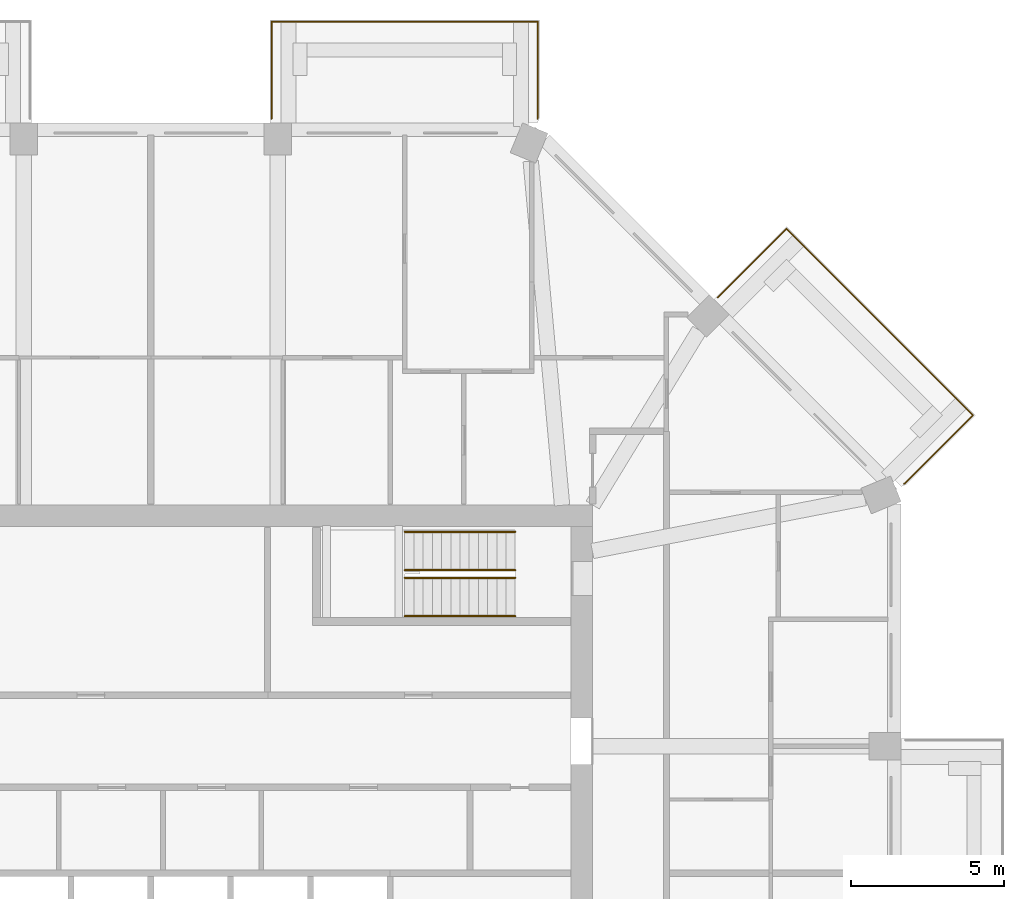
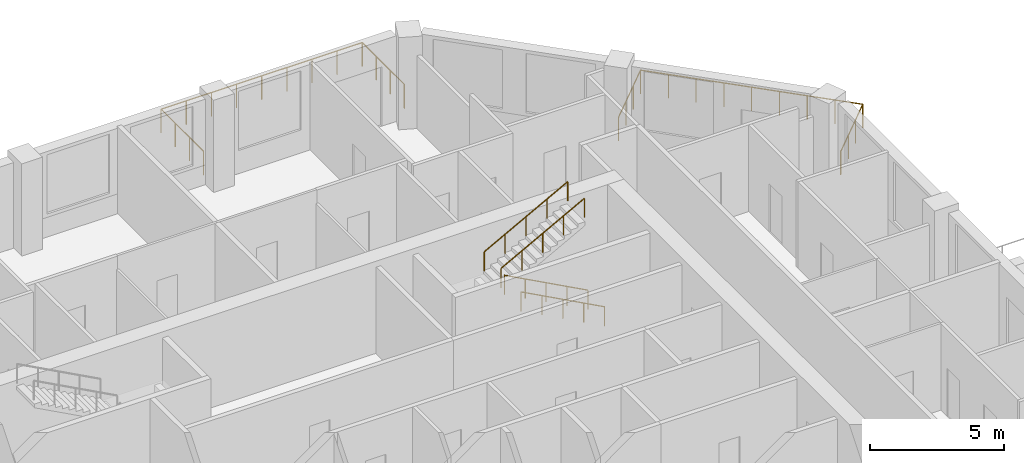
# One storey, part 12 of 12: 6 railings.
"""IFC4 building model written with IfcOpenShell, lengths in metres."""

from ifc_helpers import new_model, si_unit, direction, frame, origin, origin_2d, place, context, subcontext, project, spatial, circle, extrude, material, constituent, constituent_set, type_object, element, save


model = new_model("IFC4")

# Units and contexts
model_context = context("Model", 3, precision=1e-05, world=origin(), true_north=direction((0.0, 1.0)))
body_context = subcontext(model_context, "Body", "Model", "MODEL_VIEW")
ifc_project = project(units=[si_unit("LENGTHUNIT", "METRE"), si_unit("AREAUNIT", "SQUARE_METRE"), si_unit("VOLUMEUNIT", "CUBIC_METRE"), si_unit("PLANEANGLEUNIT", "RADIAN"), si_unit("MASSUNIT", "GRAM", prefix="KILO")], contexts=[model_context])

# Site, building, storey
site_placement = place(None, origin())
site = spatial("IfcSite", under=ifc_project, at=site_placement, CompositionType="ELEMENT")
building_placement = place(site_placement, origin())
building = spatial("IfcBuilding", under=site, at=building_placement, Name="Msitu Wima Residences", CompositionType="ELEMENT")
storey_placement = place(building_placement, frame((0.0, 0.0, 183.300048828125)))
storey = spatial("IfcBuildingStorey", under=building, at=storey_placement, Name="L42", CompositionType="ELEMENT", Elevation=183.300048828125)

# Railings
ifc_material_1 = material(Name="Steel S355", Category="steel")
ifc_constituent_1 = constituent(ifc_material_1, Name="Steel S355")
ifc_material_2 = material(Name="Weathering patina")
ifc_constituent_2 = constituent(ifc_material_2, Name="Weathering patina")
ifc_constituent_set_1 = constituent_set(constituents=[ifc_constituent_1, ifc_constituent_2], Name="Steel S355")
railing_type_1 = type_object("IfcRailingType", Name="Balcony guard GR1100", PredefinedType="GUARDRAIL", material=ifc_constituent_set_1)
railing_1_placement = place(storey_placement, frame((18.474609375, 18.75732421875, 0.0)))
element("IfcRailing", 1, at=railing_1_placement, inside=storey, type_object=railing_type_1, Name="Balcony guard NE0 L42", PredefinedType="GUARDRAIL", context=body_context, shape_type="SweptSolid", body=[
    extrude(circle(Radius=0.02392578125, at=origin_2d()), frame((0.0, 0.0, 1.076171875), z_axis=(0.707068272989, 0.707145287287, 0.0), x_axis=(-0.707145287287, 0.707068272989, 0.0)), (0.0, 0.0, 1.0), 3.170166015625),
    extrude(circle(Radius=0.02392578125, at=origin_2d()), frame((2.241455078125, 2.24169921875, 1.076171875), z_axis=(0.707106781187, -0.707106781187, 0.0), x_axis=(0.707106781187, 0.707106781187, 0.0)), (0.0, 0.0, 1.0), 8.593994140625),
    extrude(circle(Radius=0.02392578125, at=origin_2d()), frame((8.318359375, -3.835205078125, 1.076171875), z_axis=(-0.707067861805, -0.707145698426, 0.0), x_axis=(0.707145698426, -0.707067861805, 0.0)), (0.0, 0.0, 1.0), 3.136474609375),
    extrude(circle(Radius=0.02392578125, at=origin_2d()), frame((6.1005859375, -6.05322265625, 1.076171875), z_axis=(-0.923276184907, -0.384136806859, 0.0), x_axis=(0.384136806859, -0.923276184907, 0.0)), (0.0, 0.0, 1.0), 0.0361328125),
    extrude(circle(Radius=0.02099609375, at=origin_2d()), origin(), (0.0, 0.0, 1.0), 1.052001953125),
    extrude(circle(Radius=0.02099609375, at=origin_2d()), frame((0.7470703125, 0.747314453125, 0.0)), (0.0, 0.0, 1.0), 1.052001953125),
    extrude(circle(Radius=0.02099609375, at=origin_2d()), frame((1.494384765625, 1.494384765625, 0.0)), (0.0, 0.0, 1.0), 1.052001953125),
    extrude(circle(Radius=0.02099609375, at=origin_2d()), frame((2.241455078125, 2.24169921875, 0.0)), (0.0, 0.0, 1.0), 1.052001953125),
    extrude(circle(Radius=0.02099609375, at=origin_2d()), frame((3.0009765625, 1.482177734375, 0.0)), (0.0, 0.0, 1.0), 1.052001953125),
    extrude(circle(Radius=0.02099609375, at=origin_2d()), frame((3.7607421875, 0.722412109375, 0.0)), (0.0, 0.0, 1.0), 1.052001953125),
    extrude(circle(Radius=0.02099609375, at=origin_2d()), frame((4.520263671875, -0.037109375, 0.0)), (0.0, 0.0, 1.0), 1.052001953125),
    extrude(circle(Radius=0.02099609375, at=origin_2d()), frame((5.27978515625, -0.796875, 0.0)), (0.0, 0.0, 1.0), 1.052001953125),
    extrude(circle(Radius=0.02099609375, at=origin_2d()), frame((6.03955078125, -1.556396484375, 0.0)), (0.0, 0.0, 1.0), 1.052001953125),
    extrude(circle(Radius=0.02099609375, at=origin_2d()), frame((6.799072265625, -2.31591796875, 0.0)), (0.0, 0.0, 1.0), 1.052001953125),
    extrude(circle(Radius=0.02099609375, at=origin_2d()), frame((7.558837890625, -3.07568359375, 0.0)), (0.0, 0.0, 1.0), 1.052001953125),
    extrude(circle(Radius=0.02099609375, at=origin_2d()), frame((8.318359375, -3.835205078125, 0.0)), (0.0, 0.0, 1.0), 1.052001953125),
    extrude(circle(Radius=0.02099609375, at=origin_2d()), frame((7.5791015625, -4.574462890625, 0.0)), (0.0, 0.0, 1.0), 1.052001953125),
    extrude(circle(Radius=0.02099609375, at=origin_2d()), frame((6.83984375, -5.31396484375, 0.0)), (0.0, 0.0, 1.0), 1.052001953125),
    extrude(circle(Radius=0.02099609375, at=origin_2d()), frame((6.1005859375, -6.05322265625, 0.0)), (0.0, 0.0, 1.0), 1.052001953125),
    extrude(circle(Radius=0.02099609375, at=origin_2d()), frame((6.067138671875, -6.067138671875, 0.0)), (0.0, 0.0, 1.0), 1.052001953125),
])
railing_2_placement = place(storey_placement, frame((3.937255859375, 24.580078125, 0.0)))
element("IfcRailing", 2, at=railing_2_placement, inside=storey, type_object=railing_type_1, Name="Balcony guard N0 L42", PredefinedType="GUARDRAIL", context=body_context, shape_type="SweptSolid", body=[
    extrude(circle(Radius=0.02392578125, at=origin_2d()), frame((0.0, 0.0, 1.076171875), z_axis=(0.0, 1.0, 0.0), x_axis=(-1.0, 0.0, 0.0)), (0.0, 0.0, 1.0), 3.169921875),
    extrude(circle(Radius=0.02392578125, at=origin_2d()), frame((0.0, 3.169921875, 1.076171875), z_axis=(1.0, 0.0, 0.0), x_axis=(0.0, 1.0, 0.0)), (0.0, 0.0, 1.0), 8.674560546875),
    extrude(circle(Radius=0.02392578125, at=origin_2d()), frame((8.674560546875, 3.169921875, 1.076171875), z_axis=(0.0, -1.0, 0.0), x_axis=(1.0, 0.0, 0.0)), (0.0, 0.0, 1.0), 3.136474609375),
    extrude(circle(Radius=0.02392578125, at=origin_2d()), frame((8.674560546875, 0.033447265625, 1.076171875), z_axis=(-0.384136806859, -0.923276184907, 0.0), x_axis=(0.923276184907, -0.384136806859, 0.0)), (0.0, 0.0, 1.0), 0.0361328125),
    extrude(circle(Radius=0.02099609375, at=origin_2d()), origin(), (0.0, 0.0, 1.0), 1.052001953125),
    extrude(circle(Radius=0.02099609375, at=origin_2d()), frame((0.0, 1.056640625, 0.0)), (0.0, 0.0, 1.0), 1.052001953125),
    extrude(circle(Radius=0.02099609375, at=origin_2d()), frame((0.0, 2.11328125, 0.0)), (0.0, 0.0, 1.0), 1.052001953125),
    extrude(circle(Radius=0.02099609375, at=origin_2d()), frame((0.0, 3.169921875, 0.0)), (0.0, 0.0, 1.0), 1.052001953125),
    extrude(circle(Radius=0.02099609375, at=origin_2d()), frame((1.084228515625, 3.169921875, 0.0)), (0.0, 0.0, 1.0), 1.052001953125),
    extrude(circle(Radius=0.02099609375, at=origin_2d()), frame((2.168701171875, 3.169921875, 0.0)), (0.0, 0.0, 1.0), 1.052001953125),
    extrude(circle(Radius=0.02099609375, at=origin_2d()), frame((3.2529296875, 3.169921875, 0.0)), (0.0, 0.0, 1.0), 1.052001953125),
    extrude(circle(Radius=0.02099609375, at=origin_2d()), frame((4.33740234375, 3.169921875, 0.0)), (0.0, 0.0, 1.0), 1.052001953125),
    extrude(circle(Radius=0.02099609375, at=origin_2d()), frame((5.421630859375, 3.169921875, 0.0)), (0.0, 0.0, 1.0), 1.052001953125),
    extrude(circle(Radius=0.02099609375, at=origin_2d()), frame((6.505859375, 3.169921875, 0.0)), (0.0, 0.0, 1.0), 1.052001953125),
    extrude(circle(Radius=0.02099609375, at=origin_2d()), frame((7.59033203125, 3.169921875, 0.0)), (0.0, 0.0, 1.0), 1.052001953125),
    extrude(circle(Radius=0.02099609375, at=origin_2d()), frame((8.674560546875, 3.169921875, 0.0)), (0.0, 0.0, 1.0), 1.052001953125),
    extrude(circle(Radius=0.02099609375, at=origin_2d()), frame((8.674560546875, 2.12451171875, 0.0)), (0.0, 0.0, 1.0), 1.052001953125),
    extrude(circle(Radius=0.02099609375, at=origin_2d()), frame((8.674560546875, 1.078857421875, 0.0)), (0.0, 0.0, 1.0), 1.052001953125),
    extrude(circle(Radius=0.02099609375, at=origin_2d()), frame((8.674560546875, 0.033447265625, 0.0)), (0.0, 0.0, 1.0), 1.052001953125),
    extrude(circle(Radius=0.02099609375, at=origin_2d()), frame((8.66064453125, 0.0, 0.0)), (0.0, 0.0, 1.0), 1.052001953125),
])
ifc_constituent_3 = constituent(ifc_material_1, Name="Steel S355")
ifc_material_3 = material(Name="Black powder coating")
ifc_constituent_4 = constituent(ifc_material_3, Name="Black powder coating")
ifc_constituent_set_2 = constituent_set(constituents=[ifc_constituent_3, ifc_constituent_4], Name="Steel S355")
railing_type_2 = type_object("IfcRailingType", Name="Stair handrail HR1", PredefinedType="HANDRAIL", material=ifc_constituent_set_2)
for number, where, name in (
    (3, (11.875, 8.375, 0.161376953125), "Stair 3 handrail"),
    (4, (11.875, 9.625, 0.161376953125), "Stair 3 handrail"),
):
    element("IfcRailing", number, at=place(storey_placement, frame(where)), inside=storey, type_object=railing_type_2, Name=name, PredefinedType="HANDRAIL", context=body_context, shape_type="SweptSolid", body=[
        extrude(circle(Radius=0.02392578125, at=origin_2d()), frame((0.0, 0.0, 0.8759765625), z_axis=(-0.880474934443, 0.0, 0.474092701714), x_axis=(0.0, -1.0, 0.0)), (0.0, 0.0, 1.0), 4.0888671875),
        extrude(circle(Radius=0.02099609375, at=origin_2d()), origin(), (0.0, 0.0, 1.0), 0.851806640625),
        extrude(circle(Radius=0.02099609375, at=origin_2d()), frame((-0.89990234375, 0.0, 0.484619140625)), (0.0, 0.0, 1.0), 0.851806640625),
        extrude(circle(Radius=0.02099609375, at=origin_2d()), frame((-1.800048828125, 0.0, 0.96923828125)), (0.0, 0.0, 1.0), 0.851806640625),
        extrude(circle(Radius=0.02099609375, at=origin_2d()), frame((-2.7001953125, 0.0, 1.453857421875)), (0.0, 0.0, 1.0), 0.851806640625),
        extrude(circle(Radius=0.02099609375, at=origin_2d()), frame((-3.60009765625, 0.0, 1.9384765625)), (0.0, 0.0, 1.0), 0.851806640625),
    ])
for number, where, name in (
    (5, (8.27490234375, 9.875, 2.261474609375), "Stair 3 handrail"),
    (6, (8.27490234375, 11.125, 2.261474609375), "Stair 3 handrail"),
):
    element("IfcRailing", number, at=place(storey_placement, frame(where)), inside=storey, type_object=railing_type_2, Name=name, PredefinedType="HANDRAIL", context=body_context, shape_type="SweptSolid", body=[
        extrude(circle(Radius=0.02392578125, at=origin_2d()), frame((0.0, 0.0, 0.8759765625), z_axis=(0.880474934443, 0.0, 0.474092701714), x_axis=(0.0, 1.0, 0.0)), (0.0, 0.0, 1.0), 4.0888671875),
        extrude(circle(Radius=0.02099609375, at=origin_2d()), origin(), (0.0, 0.0, 1.0), 0.851806640625),
        extrude(circle(Radius=0.02099609375, at=origin_2d()), frame((0.89990234375, 0.0, 0.484619140625)), (0.0, 0.0, 1.0), 0.851806640625),
        extrude(circle(Radius=0.02099609375, at=origin_2d()), frame((1.800048828125, 0.0, 0.96923828125)), (0.0, 0.0, 1.0), 0.851806640625),
        extrude(circle(Radius=0.02099609375, at=origin_2d()), frame((2.7001953125, 0.0, 1.453857421875)), (0.0, 0.0, 1.0), 0.851806640625),
        extrude(circle(Radius=0.02099609375, at=origin_2d()), frame((3.60009765625, 0.0, 1.9384765625)), (0.0, 0.0, 1.0), 0.851806640625),
    ])

save(model, "model.ifc")
